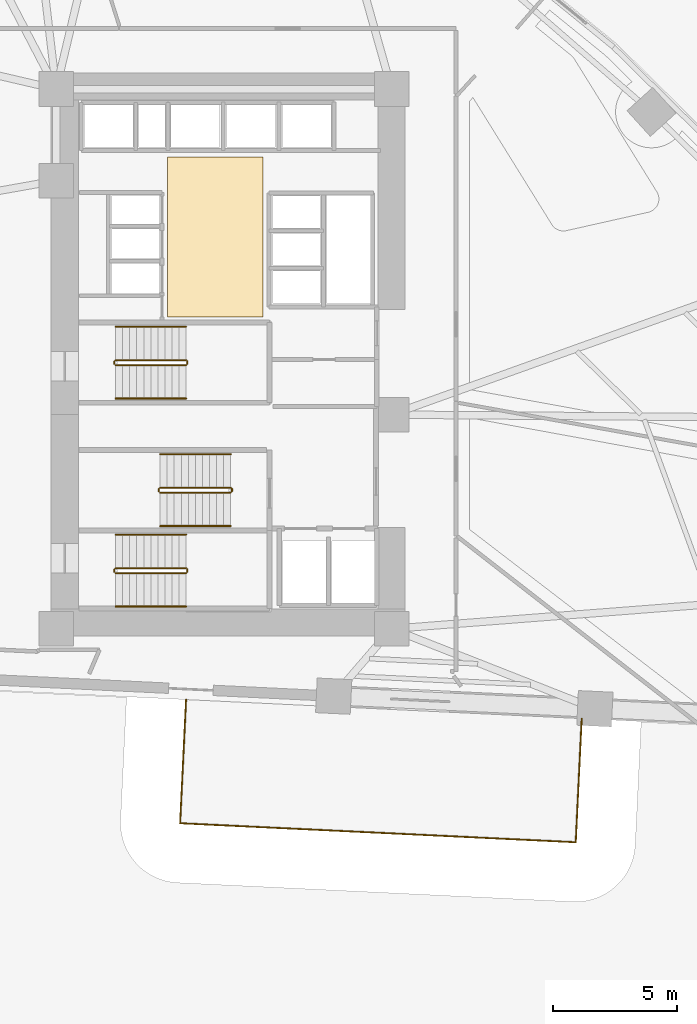
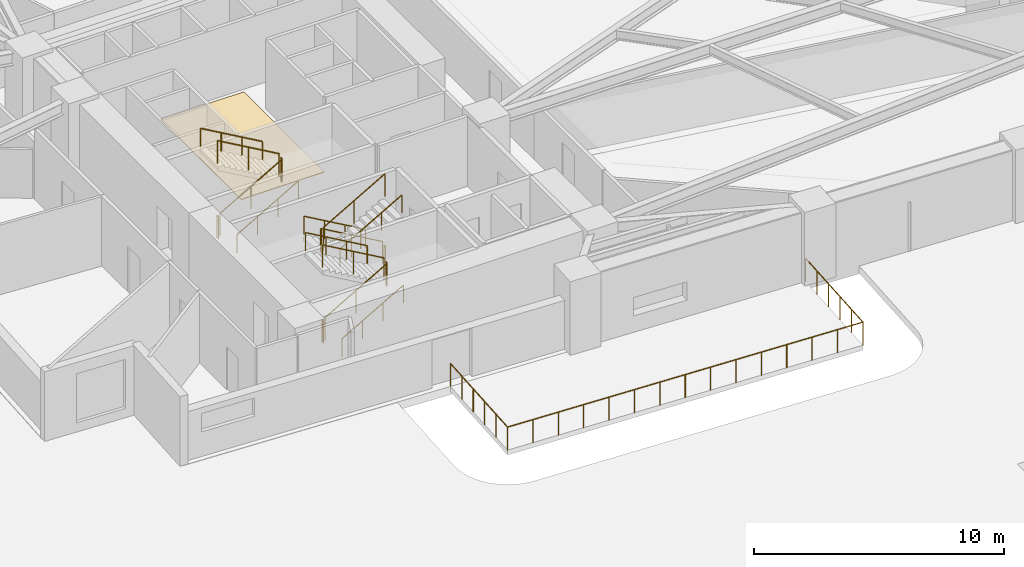
# One storey, part 18 of 19: 19 railings, 1 covering.
"""IFC4 building model written with IfcOpenShell, lengths in metres."""

from ifc_helpers import new_model, si_unit, direction, frame, origin, origin_2d, place, context, subcontext, project, spatial, polyline, circle, outline, extrude, material, layer, layer_set, type_object, element, save


model = new_model("IFC4")

# Units and contexts
model_context = context("Model", 3, precision=1e-05, world=origin(), true_north=direction((0.0, 1.0)))
body_context = subcontext(model_context, "Body", "Model", "MODEL_VIEW")
ifc_project = project(units=[si_unit("LENGTHUNIT", "METRE"), si_unit("AREAUNIT", "SQUARE_METRE"), si_unit("VOLUMEUNIT", "CUBIC_METRE"), si_unit("PLANEANGLEUNIT", "RADIAN"), si_unit("MASSUNIT", "GRAM", prefix="KILO")], contexts=[model_context])

# Site, building, storey
site_placement = place(None, origin())
site = spatial("IfcSite", under=ifc_project, at=site_placement, CompositionType="ELEMENT")
building_placement = place(site_placement, origin())
building = spatial("IfcBuilding", under=site, at=building_placement, Name="Narakoshi Arena Tower", CompositionType="ELEMENT")
storey_placement = place(building_placement, frame((0.0, 0.0, 26.699951171875)))
storey = spatial("IfcBuildingStorey", under=building, at=storey_placement, Name="L06", CompositionType="ELEMENT", Elevation=26.699951171875)

# Covering
ifc_material_1 = material(Name="Honed granite stone paving", Category="masonry")
ifc_layer = layer(ifc_material_1, 0.030029296875)
ifc_layer_set = layer_set([ifc_layer], Name="Honed granite stone paving")
covering_type = type_object("IfcCoveringType", Name="COV-FLR-ST30", PredefinedType="FLOORING", material=ifc_layer_set)
covering_placement = place(storey_placement, origin())
element("IfcCovering", 1, at=covering_placement, inside=storey, type_object=covering_type, Name="L06 Lift Lobby Granite Flooring", PredefinedType="FLOORING", context=body_context, shape_type="SweptSolid", body=[
    extrude(outline(polyline([(76.5, 47.300048828125), (80.35009765625, 47.300048828125), (80.35009765625, 53.75), (76.5, 53.75), (76.5, 47.300048828125)])), origin(), (0.0, 0.0, 1.0), 0.030029296875),
])

# Railings
ifc_material_2 = material(Name="Clear low-iron laminated structural glass", Category="glass")
railing_type_1 = type_object("IfcRailingType", Name="RL-BAL-1100", PredefinedType="BALUSTRADE", material=ifc_material_2)
railing_1_placement = place(storey_placement, frame((74.39990234375, 36.949951171875, 0.16357421875)))
element("IfcRailing", 2, at=railing_1_placement, inside=storey, type_object=railing_type_1, Name="L06 ST1 stair guard 1", PredefinedType="BALUSTRADE", context=body_context, shape_type="SweptSolid", body=[
    extrude(circle(Radius=0.02392578125, at=origin_2d()), frame((0.0, 0.0, 1.09619140625), z_axis=(0.86721270334, 0.0, 0.497937874806), x_axis=(0.0, 1.0, 0.0)), (0.0, 0.0, 1.0), 3.28662109375),
    extrude(circle(Radius=0.02099609375, at=origin_2d()), origin(), (0.0, 0.0, 1.0), 1.072021484375),
    extrude(circle(Radius=0.02099609375, at=origin_2d()), frame((1.425048828125, 0.0, 0.818359375)), (0.0, 0.0, 1.0), 1.072021484375),
    extrude(circle(Radius=0.02099609375, at=origin_2d()), frame((2.85009765625, 0.0, 1.636474609375)), (0.0, 0.0, 1.0), 1.072021484375),
])
railing_2_placement = place(storey_placement, frame((77.300048828125, 37.0, 1.800048828125)))
element("IfcRailing", 3, at=railing_2_placement, inside=storey, type_object=railing_type_1, Name="L06 ST1 stair guard 2", PredefinedType="BALUSTRADE", context=body_context, shape_type="SweptSolid", body=[
    extrude(circle(Radius=0.02392578125, at=origin_2d()), frame((0.0, 0.0, 1.09619140625), z_axis=(0.0, 1.0, 0.0), x_axis=(-1.0, 0.0, 0.0)), (0.0, 0.0, 1.0), 0.10009765625),
    extrude(circle(Radius=0.02099609375, at=origin_2d()), origin(), (0.0, 0.0, 1.0), 1.072021484375),
    extrude(circle(Radius=0.02099609375, at=origin_2d()), frame((0.0, 0.10009765625, 0.0)), (0.0, 0.0, 1.0), 1.072021484375),
])
railing_3_placement = place(storey_placement, frame((77.25, 37.14990234375, 1.963623046875)))
element("IfcRailing", 4, at=railing_3_placement, inside=storey, type_object=railing_type_1, Name="L06 ST1 stair guard 3", PredefinedType="BALUSTRADE", context=body_context, shape_type="SweptSolid", body=[
    extrude(circle(Radius=0.02392578125, at=origin_2d()), frame((0.0, 0.0, 1.09619140625), z_axis=(-0.86721270334, 0.0, 0.497937874806), x_axis=(0.0, -1.0, 0.0)), (0.0, 0.0, 1.0), 3.28662109375),
    extrude(circle(Radius=0.02099609375, at=origin_2d()), origin(), (0.0, 0.0, 1.0), 1.072021484375),
    extrude(circle(Radius=0.02099609375, at=origin_2d()), frame((-1.425048828125, 0.0, 0.818359375)), (0.0, 0.0, 1.0), 1.072021484375),
    extrude(circle(Radius=0.02099609375, at=origin_2d()), frame((-2.85009765625, 0.0, 1.636474609375)), (0.0, 0.0, 1.0), 1.072021484375),
])
railing_4_placement = place(storey_placement, frame((74.35009765625, 37.0, 0.0)))
element("IfcRailing", 5, at=railing_4_placement, inside=storey, type_object=railing_type_1, Name="L06 ST1 stair guard 4", PredefinedType="BALUSTRADE", context=body_context, shape_type="SweptSolid", body=[
    extrude(circle(Radius=0.02392578125, at=origin_2d()), frame((0.0, 0.0, 1.09619140625), z_axis=(0.0, 1.0, 0.0), x_axis=(-1.0, 0.0, 0.0)), (0.0, 0.0, 1.0), 0.10009765625),
    extrude(circle(Radius=0.02099609375, at=origin_2d()), origin(), (0.0, 0.0, 1.0), 1.072021484375),
    extrude(circle(Radius=0.02099609375, at=origin_2d()), frame((0.0, 0.10009765625, 0.0)), (0.0, 0.0, 1.0), 1.072021484375),
])
railing_5_placement = place(storey_placement, frame((79.050048828125, 40.39990234375, 0.16357421875)))
element("IfcRailing", 6, at=railing_5_placement, inside=storey, type_object=railing_type_1, Name="L06 ST2 stair guard 1", PredefinedType="BALUSTRADE", context=body_context, shape_type="SweptSolid", body=[
    extrude(circle(Radius=0.02392578125, at=origin_2d()), frame((0.0, 0.0, 1.09619140625), z_axis=(-0.86721270334, 0.0, 0.497937874806), x_axis=(0.0, -1.0, 0.0)), (0.0, 0.0, 1.0), 3.28662109375),
    extrude(circle(Radius=0.02099609375, at=origin_2d()), origin(), (0.0, 0.0, 1.0), 1.072021484375),
    extrude(circle(Radius=0.02099609375, at=origin_2d()), frame((-1.425048828125, 0.0, 0.818359375)), (0.0, 0.0, 1.0), 1.072021484375),
    extrude(circle(Radius=0.02099609375, at=origin_2d()), frame((-2.85009765625, 0.0, 1.636474609375)), (0.0, 0.0, 1.0), 1.072021484375),
])
railing_6_placement = place(storey_placement, frame((76.14990234375, 40.35009765625, 1.800048828125)))
element("IfcRailing", 7, at=railing_6_placement, inside=storey, type_object=railing_type_1, Name="L06 ST2 stair guard 2", PredefinedType="BALUSTRADE", context=body_context, shape_type="SweptSolid", body=[
    extrude(circle(Radius=0.02392578125, at=origin_2d()), frame((0.0, 0.0, 1.09619140625), z_axis=(0.0, -1.0, 0.0), x_axis=(1.0, 0.0, 0.0)), (0.0, 0.0, 1.0), 0.10009765625),
    extrude(circle(Radius=0.02099609375, at=origin_2d()), origin(), (0.0, 0.0, 1.0), 1.072021484375),
    extrude(circle(Radius=0.02099609375, at=origin_2d()), frame((0.0, -0.10009765625, 0.0)), (0.0, 0.0, 1.0), 1.072021484375),
])
railing_7_placement = place(storey_placement, frame((76.199951171875, 40.199951171875, 1.963623046875)))
element("IfcRailing", 8, at=railing_7_placement, inside=storey, type_object=railing_type_1, Name="L06 ST2 stair guard 3", PredefinedType="BALUSTRADE", context=body_context, shape_type="SweptSolid", body=[
    extrude(circle(Radius=0.02392578125, at=origin_2d()), frame((0.0, 0.0, 1.09619140625), z_axis=(0.86721270334, 0.0, 0.497937874806), x_axis=(0.0, 1.0, 0.0)), (0.0, 0.0, 1.0), 3.28662109375),
    extrude(circle(Radius=0.02099609375, at=origin_2d()), origin(), (0.0, 0.0, 1.0), 1.072021484375),
    extrude(circle(Radius=0.02099609375, at=origin_2d()), frame((1.425048828125, 0.0, 0.818359375)), (0.0, 0.0, 1.0), 1.072021484375),
    extrude(circle(Radius=0.02099609375, at=origin_2d()), frame((2.85009765625, 0.0, 1.636474609375)), (0.0, 0.0, 1.0), 1.072021484375),
])
railing_8_placement = place(storey_placement, frame((79.10009765625, 40.35009765625, 0.0)))
element("IfcRailing", 9, at=railing_8_placement, inside=storey, type_object=railing_type_1, Name="L06 ST2 stair guard 4", PredefinedType="BALUSTRADE", context=body_context, shape_type="SweptSolid", body=[
    extrude(circle(Radius=0.02392578125, at=origin_2d()), frame((0.0, 0.0, 1.09619140625), z_axis=(0.0, -1.0, 0.0), x_axis=(1.0, 0.0, 0.0)), (0.0, 0.0, 1.0), 0.10009765625),
    extrude(circle(Radius=0.02099609375, at=origin_2d()), origin(), (0.0, 0.0, 1.0), 1.072021484375),
    extrude(circle(Radius=0.02099609375, at=origin_2d()), frame((0.0, -0.10009765625, 0.0)), (0.0, 0.0, 1.0), 1.072021484375),
])
railing_9_placement = place(storey_placement, frame((74.39990234375, 45.35009765625, 0.16357421875)))
element("IfcRailing", 10, at=railing_9_placement, inside=storey, type_object=railing_type_1, Name="L06 ST3 stair guard 1", PredefinedType="BALUSTRADE", context=body_context, shape_type="SweptSolid", body=[
    extrude(circle(Radius=0.02392578125, at=origin_2d()), frame((0.0, 0.0, 1.09619140625), z_axis=(0.86721270334, 0.0, 0.497937874806), x_axis=(0.0, 1.0, 0.0)), (0.0, 0.0, 1.0), 3.28662109375),
    extrude(circle(Radius=0.02099609375, at=origin_2d()), origin(), (0.0, 0.0, 1.0), 1.072021484375),
    extrude(circle(Radius=0.02099609375, at=origin_2d()), frame((1.425048828125, 0.0, 0.818359375)), (0.0, 0.0, 1.0), 1.072021484375),
    extrude(circle(Radius=0.02099609375, at=origin_2d()), frame((2.85009765625, 0.0, 1.636474609375)), (0.0, 0.0, 1.0), 1.072021484375),
])
railing_10_placement = place(storey_placement, frame((77.300048828125, 45.39990234375, 1.800048828125)))
element("IfcRailing", 11, at=railing_10_placement, inside=storey, type_object=railing_type_1, Name="L06 ST3 stair guard 2", PredefinedType="BALUSTRADE", context=body_context, shape_type="SweptSolid", body=[
    extrude(circle(Radius=0.02392578125, at=origin_2d()), frame((0.0, 0.0, 1.09619140625), z_axis=(0.0, 1.0, 0.0), x_axis=(-1.0, 0.0, 0.0)), (0.0, 0.0, 1.0), 0.10009765625),
    extrude(circle(Radius=0.02099609375, at=origin_2d()), origin(), (0.0, 0.0, 1.0), 1.072021484375),
    extrude(circle(Radius=0.02099609375, at=origin_2d()), frame((0.0, 0.10009765625, 0.0)), (0.0, 0.0, 1.0), 1.072021484375),
])
railing_11_placement = place(storey_placement, frame((77.25, 45.550048828125, 1.963623046875)))
element("IfcRailing", 12, at=railing_11_placement, inside=storey, type_object=railing_type_1, Name="L06 ST3 stair guard 3", PredefinedType="BALUSTRADE", context=body_context, shape_type="SweptSolid", body=[
    extrude(circle(Radius=0.02392578125, at=origin_2d()), frame((0.0, 0.0, 1.09619140625), z_axis=(-0.86721270334, 0.0, 0.497937874806), x_axis=(0.0, -1.0, 0.0)), (0.0, 0.0, 1.0), 3.28662109375),
    extrude(circle(Radius=0.02099609375, at=origin_2d()), origin(), (0.0, 0.0, 1.0), 1.072021484375),
    extrude(circle(Radius=0.02099609375, at=origin_2d()), frame((-1.425048828125, 0.0, 0.818359375)), (0.0, 0.0, 1.0), 1.072021484375),
    extrude(circle(Radius=0.02099609375, at=origin_2d()), frame((-2.85009765625, 0.0, 1.636474609375)), (0.0, 0.0, 1.0), 1.072021484375),
])
railing_12_placement = place(storey_placement, frame((74.35009765625, 45.39990234375, 0.0)))
element("IfcRailing", 13, at=railing_12_placement, inside=storey, type_object=railing_type_1, Name="L06 ST3 stair guard 4", PredefinedType="BALUSTRADE", context=body_context, shape_type="SweptSolid", body=[
    extrude(circle(Radius=0.02392578125, at=origin_2d()), frame((0.0, 0.0, 1.09619140625), z_axis=(0.0, 1.0, 0.0), x_axis=(-1.0, 0.0, 0.0)), (0.0, 0.0, 1.0), 0.10009765625),
    extrude(circle(Radius=0.02099609375, at=origin_2d()), origin(), (0.0, 0.0, 1.0), 1.072021484375),
    extrude(circle(Radius=0.02099609375, at=origin_2d()), frame((0.0, 0.10009765625, 0.0)), (0.0, 0.0, 1.0), 1.072021484375),
])
ifc_material_3 = material(Name="Brushed bronze stainless steel", Category="steel")
railing_type_2 = type_object("IfcRailingType", Name="RL-GRD-1150", PredefinedType="GUARDRAIL", material=ifc_material_3)
railing_13_placement = place(storey_placement, frame((77.24658203125, 31.84033203125, 0.0)))
element("IfcRailing", 14, at=railing_13_placement, inside=storey, type_object=railing_type_2, Name="L06 Setback Sky Terrace Guardrail", PredefinedType="GUARDRAIL", context=body_context, shape_type="SweptSolid", body=[
    extrude(circle(Radius=0.02392578125, at=origin_2d()), frame((0.0, 0.0, 1.1259765625), z_axis=(-0.047996631475, -0.998847497553, 0.0), x_axis=(0.998847497553, -0.047996631475, 0.0)), (0.0, 0.0, 1.0), 5.000244140625),
    extrude(circle(Radius=0.02392578125, at=origin_2d()), frame((-0.239990234375, -4.994384765625, 1.1259765625), z_axis=(0.998848618503, -0.047973297942, 0.0), x_axis=(0.047973297942, 0.998848618503, 0.0)), (0.0, 0.0, 1.0), 16.0),
    extrude(circle(Radius=0.02392578125, at=origin_2d()), frame((15.74169921875, -5.761962890625, 1.1259765625), z_axis=(0.047950255665, 0.998849724924, 0.0), x_axis=(-0.998849724924, 0.047950255665, 0.0)), (0.0, 0.0, 1.0), 5.0),
    extrude(circle(Radius=0.02099609375, at=origin_2d()), origin(), (0.0, 0.0, 1.0), 1.101806640625),
    extrude(circle(Radius=0.02099609375, at=origin_2d()), frame((-0.048095703125, -0.998779296875, 0.0)), (0.0, 0.0, 1.0), 1.101806640625),
    extrude(circle(Radius=0.02099609375, at=origin_2d()), frame((-0.095947265625, -1.997802734375, 0.0)), (0.0, 0.0, 1.0), 1.101806640625),
    extrude(circle(Radius=0.02099609375, at=origin_2d()), frame((-0.14404296875, -2.99658203125, 0.0)), (0.0, 0.0, 1.0), 1.101806640625),
    extrude(circle(Radius=0.02099609375, at=origin_2d()), frame((-0.19189453125, -3.99560546875, 0.0)), (0.0, 0.0, 1.0), 1.101806640625),
    extrude(circle(Radius=0.02099609375, at=origin_2d()), frame((-0.239990234375, -4.994384765625, 0.0)), (0.0, 0.0, 1.0), 1.101806640625),
    extrude(circle(Radius=0.02099609375, at=origin_2d()), frame((0.901611328125, -5.04931640625, 0.0)), (0.0, 0.0, 1.0), 1.101806640625),
    extrude(circle(Radius=0.02099609375, at=origin_2d()), frame((2.043212890625, -5.10400390625, 0.0)), (0.0, 0.0, 1.0), 1.101806640625),
    extrude(circle(Radius=0.02099609375, at=origin_2d()), frame((3.1845703125, -5.158935546875, 0.0)), (0.0, 0.0, 1.0), 1.101806640625),
    extrude(circle(Radius=0.02099609375, at=origin_2d()), frame((4.326171875, -5.213623046875, 0.0)), (0.0, 0.0, 1.0), 1.101806640625),
    extrude(circle(Radius=0.02099609375, at=origin_2d()), frame((5.4677734375, -5.2685546875, 0.0)), (0.0, 0.0, 1.0), 1.101806640625),
    extrude(circle(Radius=0.02099609375, at=origin_2d()), frame((6.609375, -5.3232421875, 0.0)), (0.0, 0.0, 1.0), 1.101806640625),
    extrude(circle(Radius=0.02099609375, at=origin_2d()), frame((7.7509765625, -5.378173828125, 0.0)), (0.0, 0.0, 1.0), 1.101806640625),
    extrude(circle(Radius=0.02099609375, at=origin_2d()), frame((8.892333984375, -5.43310546875, 0.0)), (0.0, 0.0, 1.0), 1.101806640625),
    extrude(circle(Radius=0.02099609375, at=origin_2d()), frame((10.033935546875, -5.48779296875, 0.0)), (0.0, 0.0, 1.0), 1.101806640625),
    extrude(circle(Radius=0.02099609375, at=origin_2d()), frame((11.175537109375, -5.542724609375, 0.0)), (0.0, 0.0, 1.0), 1.101806640625),
    extrude(circle(Radius=0.02099609375, at=origin_2d()), frame((12.317138671875, -5.597412109375, 0.0)), (0.0, 0.0, 1.0), 1.101806640625),
    extrude(circle(Radius=0.02099609375, at=origin_2d()), frame((13.45849609375, -5.65234375, 0.0)), (0.0, 0.0, 1.0), 1.101806640625),
    extrude(circle(Radius=0.02099609375, at=origin_2d()), frame((14.60009765625, -5.70703125, 0.0)), (0.0, 0.0, 1.0), 1.101806640625),
    extrude(circle(Radius=0.02099609375, at=origin_2d()), frame((15.74169921875, -5.761962890625, 0.0)), (0.0, 0.0, 1.0), 1.101806640625),
    extrude(circle(Radius=0.02099609375, at=origin_2d()), frame((15.78955078125, -4.76318359375, 0.0)), (0.0, 0.0, 1.0), 1.101806640625),
    extrude(circle(Radius=0.02099609375, at=origin_2d()), frame((15.837646484375, -3.764404296875, 0.0)), (0.0, 0.0, 1.0), 1.101806640625),
    extrude(circle(Radius=0.02099609375, at=origin_2d()), frame((15.885498046875, -2.765380859375, 0.0)), (0.0, 0.0, 1.0), 1.101806640625),
    extrude(circle(Radius=0.02099609375, at=origin_2d()), frame((15.93359375, -1.7666015625, 0.0)), (0.0, 0.0, 1.0), 1.101806640625),
    extrude(circle(Radius=0.02099609375, at=origin_2d()), frame((15.9814453125, -0.767822265625, 0.0)), (0.0, 0.0, 1.0), 1.101806640625),
])
railing_type_3 = type_object("IfcRailingType", Name="RL-HND-900", PredefinedType="HANDRAIL", material=ifc_material_3)
railing_14_placement = place(storey_placement, frame((74.39990234375, 35.60009765625, 0.16357421875)))
element("IfcRailing", 15, at=railing_14_placement, inside=storey, type_object=railing_type_3, Name="L06 ST1 stair handrail 1", PredefinedType="HANDRAIL", context=body_context, shape_type="SweptSolid", body=[
    extrude(circle(Radius=0.02392578125, at=origin_2d()), frame((0.0, 0.0, 0.8759765625), z_axis=(0.86721270334, 0.0, 0.497937874806), x_axis=(0.0, 1.0, 0.0)), (0.0, 0.0, 1.0), 3.28662109375),
    extrude(circle(Radius=0.02099609375, at=origin_2d()), origin(), (0.0, 0.0, 1.0), 0.851806640625),
    extrude(circle(Radius=0.02099609375, at=origin_2d()), frame((0.949951171875, 0.0, 0.54541015625)), (0.0, 0.0, 1.0), 0.851806640625),
    extrude(circle(Radius=0.02099609375, at=origin_2d()), frame((1.900146484375, 0.0, 1.091064453125)), (0.0, 0.0, 1.0), 0.851806640625),
    extrude(circle(Radius=0.02099609375, at=origin_2d()), frame((2.85009765625, 0.0, 1.636474609375)), (0.0, 0.0, 1.0), 0.851806640625),
])
for number, where, name in (
    (16, (77.25, 38.5, 1.963623046875), "L06 ST1 stair handrail 2"),
    (17, (79.050048828125, 41.75, 0.16357421875), "L06 ST2 stair handrail 1"),
):
    element("IfcRailing", number, at=place(storey_placement, frame(where)), inside=storey, type_object=railing_type_3, Name=name, PredefinedType="HANDRAIL", context=body_context, shape_type="SweptSolid", body=[
        extrude(circle(Radius=0.02392578125, at=origin_2d()), frame((0.0, 0.0, 0.8759765625), z_axis=(-0.86721270334, 0.0, 0.497937874806), x_axis=(0.0, -1.0, 0.0)), (0.0, 0.0, 1.0), 3.28662109375),
        extrude(circle(Radius=0.02099609375, at=origin_2d()), origin(), (0.0, 0.0, 1.0), 0.851806640625),
        extrude(circle(Radius=0.02099609375, at=origin_2d()), frame((-0.949951171875, 0.0, 0.54541015625)), (0.0, 0.0, 1.0), 0.851806640625),
        extrude(circle(Radius=0.02099609375, at=origin_2d()), frame((-1.900146484375, 0.0, 1.091064453125)), (0.0, 0.0, 1.0), 0.851806640625),
        extrude(circle(Radius=0.02099609375, at=origin_2d()), frame((-2.85009765625, 0.0, 1.636474609375)), (0.0, 0.0, 1.0), 0.851806640625),
    ])
for number, where, name in (
    (18, (76.199951171875, 38.85009765625, 1.963623046875), "L06 ST2 stair handrail 2"),
    (19, (74.39990234375, 44.0, 0.16357421875), "L06 ST3 stair handrail 1"),
):
    element("IfcRailing", number, at=place(storey_placement, frame(where)), inside=storey, type_object=railing_type_3, Name=name, PredefinedType="HANDRAIL", context=body_context, shape_type="SweptSolid", body=[
        extrude(circle(Radius=0.02392578125, at=origin_2d()), frame((0.0, 0.0, 0.8759765625), z_axis=(0.86721270334, 0.0, 0.497937874806), x_axis=(0.0, 1.0, 0.0)), (0.0, 0.0, 1.0), 3.28662109375),
        extrude(circle(Radius=0.02099609375, at=origin_2d()), origin(), (0.0, 0.0, 1.0), 0.851806640625),
        extrude(circle(Radius=0.02099609375, at=origin_2d()), frame((0.949951171875, 0.0, 0.54541015625)), (0.0, 0.0, 1.0), 0.851806640625),
        extrude(circle(Radius=0.02099609375, at=origin_2d()), frame((1.900146484375, 0.0, 1.091064453125)), (0.0, 0.0, 1.0), 0.851806640625),
        extrude(circle(Radius=0.02099609375, at=origin_2d()), frame((2.85009765625, 0.0, 1.636474609375)), (0.0, 0.0, 1.0), 0.851806640625),
    ])
railing_15_placement = place(storey_placement, frame((77.25, 46.89990234375, 1.963623046875)))
element("IfcRailing", 20, at=railing_15_placement, inside=storey, type_object=railing_type_3, Name="L06 ST3 stair handrail 2", PredefinedType="HANDRAIL", context=body_context, shape_type="SweptSolid", body=[
    extrude(circle(Radius=0.02392578125, at=origin_2d()), frame((0.0, 0.0, 0.8759765625), z_axis=(-0.86721270334, 0.0, 0.497937874806), x_axis=(0.0, -1.0, 0.0)), (0.0, 0.0, 1.0), 3.28662109375),
    extrude(circle(Radius=0.02099609375, at=origin_2d()), origin(), (0.0, 0.0, 1.0), 0.851806640625),
    extrude(circle(Radius=0.02099609375, at=origin_2d()), frame((-0.949951171875, 0.0, 0.54541015625)), (0.0, 0.0, 1.0), 0.851806640625),
    extrude(circle(Radius=0.02099609375, at=origin_2d()), frame((-1.900146484375, 0.0, 1.091064453125)), (0.0, 0.0, 1.0), 0.851806640625),
    extrude(circle(Radius=0.02099609375, at=origin_2d()), frame((-2.85009765625, 0.0, 1.636474609375)), (0.0, 0.0, 1.0), 0.851806640625),
])

save(model, "model.ifc")
